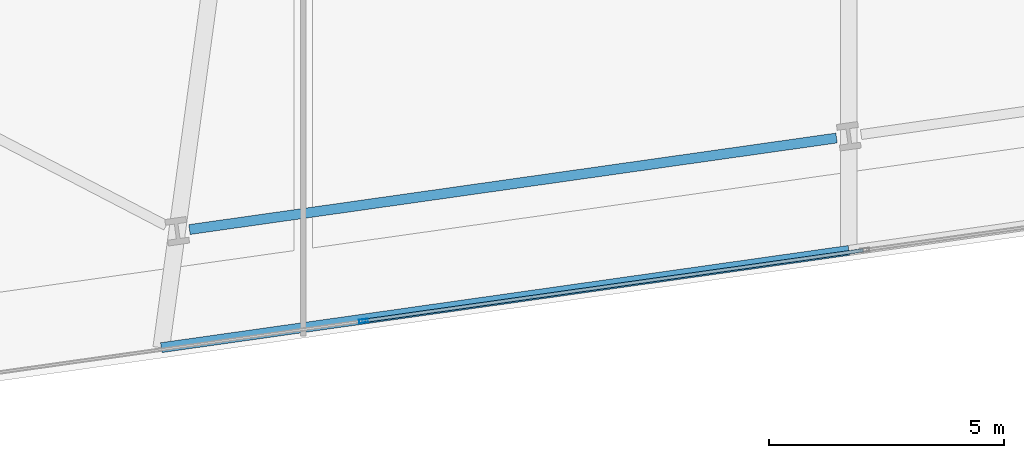
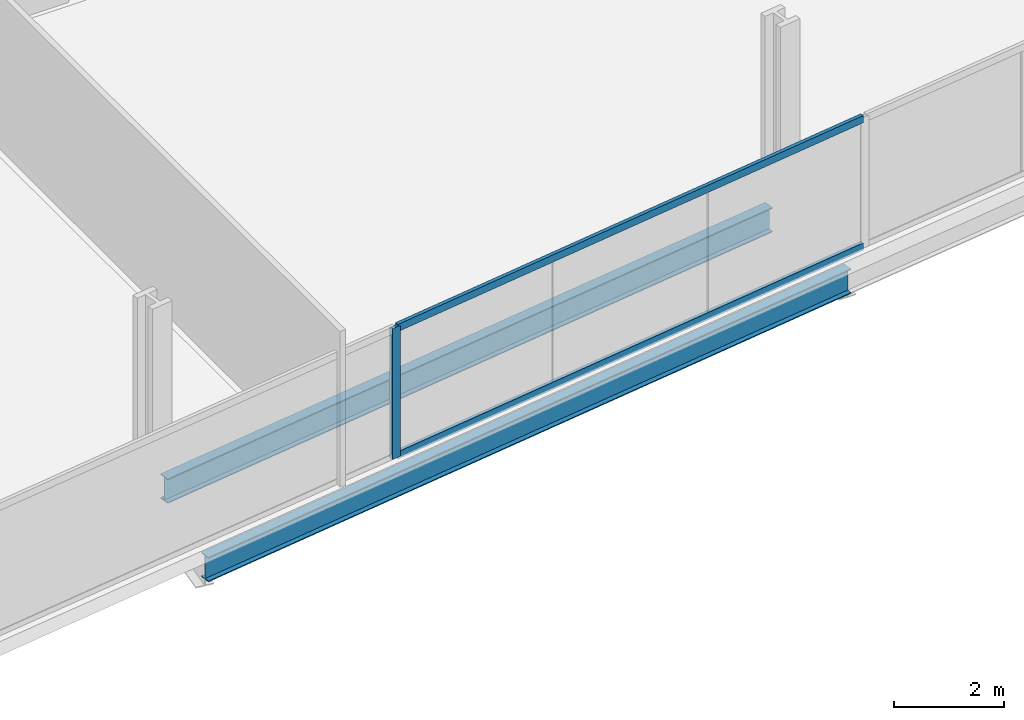
# One storey, part 5 of 33: 3 members, 2 beams, 1 element without a shape of its own.
"""IFC4 building model written with IfcOpenShell, lengths in metres."""

from ifc_helpers import new_model, si_unit, direction, frame, origin, origin_2d, place, context, subcontext, project, spatial, hollow_rectangle, i_section, extrude, material, material_profile, profile_set, type_object, element, aggregate, save


model = new_model("IFC4")

# Units and contexts
model_context = context("Model", 3, precision=1e-05, world=origin(), true_north=direction((0.0, 1.0)))
body_context = subcontext(model_context, "Body", "Model", "MODEL_VIEW")
ifc_project = project(units=[si_unit("LENGTHUNIT", "METRE"), si_unit("AREAUNIT", "SQUARE_METRE"), si_unit("VOLUMEUNIT", "CUBIC_METRE"), si_unit("PLANEANGLEUNIT", "RADIAN"), si_unit("MASSUNIT", "GRAM", prefix="KILO")], contexts=[model_context])

# Site, building, storey
site_placement = place(None, origin())
site = spatial("IfcSite", under=ifc_project, at=site_placement, CompositionType="ELEMENT")
building_placement = place(site_placement, origin())
building = spatial("IfcBuilding", under=site, at=building_placement, Name="Haldenkirk Collegiate Tower", CompositionType="ELEMENT")
storey_placement = place(building_placement, frame((0.0, 0.0, 55.199951171875)))
storey = spatial("IfcBuildingStorey", under=building, at=storey_placement, Name="L12", CompositionType="ELEMENT", Elevation=55.199951171875)

# Beams
ifc_material_1 = material(Name="Steel ASTM A992 Grade 50", Category="steel")
ifc_material_profile_1 = material_profile(ifc_material_1, i_section(OverallWidth=0.2119140625, OverallDepth=0.5439453125, WebThickness=0.01318359375, FlangeThickness=0.021240234375, at=origin_2d()), Name="W21X83")
ifc_profile_set_1 = profile_set([ifc_material_profile_1], Name="Steel ASTM A992 Grade 50")
beam_type = type_object("IfcBeamType", Name="BM-SPANDREL-W21X83", PredefinedType="SPANDREL", material=ifc_profile_set_1)
beam_1_placement = place(storey_placement, frame((25.076904296875, 2.0341796875, -0.58203125), z_axis=(0.990146197746, 0.14003752029, 0.0), x_axis=(-0.14003752029, 0.990146197746, 0.0)))
element("IfcBeam", 1, at=beam_1_placement, inside=storey, type_object=beam_type, Name="L12 perimeter spandrel beam 02", PredefinedType="SPANDREL", context=body_context, shape_type="SweptSolid", body=[
    extrude(i_section(OverallWidth=0.2119140625, OverallDepth=0.5439453125, WebThickness=0.01318359375, FlangeThickness=0.021240234375, at=origin_2d()), origin(), (0.0, 0.0, 1.0), 13.906982421875),
])
beam_2_placement = place(storey_placement, frame((24.476806640625, -0.4794921875, -0.58203125), z_axis=(0.990147098924, 0.14003114829, 0.0), x_axis=(-0.14003114829, 0.990147098924, 0.0)))
element("IfcBeam", 2, at=beam_2_placement, inside=storey, type_object=beam_type, Name="L12 outer facade edge beam 1A", PredefinedType="SPANDREL", context=body_context, shape_type="SweptSolid", body=[
    extrude(i_section(OverallWidth=0.2119140625, OverallDepth=0.5439453125, WebThickness=0.01318359375, FlangeThickness=0.021240234375, at=origin_2d()), origin(), (0.0, 0.0, 1.0), 14.777587890625),
])

# Curtain wall, members
ifc_material_2 = material(Name="Anodised architectural bronze aluminium", Category="aluminium")
curtain_wall_type = type_object("IfcCurtainWallType", Name="CW-SYS2-CONCAVE", PredefinedType="USERDEFINED", material=ifc_material_2)
curtain_wall_placement = place(storey_placement, origin())
curtain_wall = element("IfcCurtainWall", 3, at=curtain_wall_placement, inside=storey, type_object=curtain_wall_type, Name="L12 South concave recessed bronze-anodised curtain wall", ObjectType="UNITISED CURTAIN WALL", PredefinedType="USERDEFINED")
ifc_material_profile_2 = material_profile(ifc_material_2, hollow_rectangle(XDim=0.074951171875, YDim=0.18994140625, WallThickness=0.0048828125, at=origin_2d()), Name="CW-MUL-02")
ifc_profile_set_2 = profile_set([ifc_material_profile_2], Name="Anodised architectural bronze aluminium")
member_type_1 = type_object("IfcMemberType", Name="CW-MUL-02", PredefinedType="MULLION", material=ifc_profile_set_2)
member_1_placement = place(storey_placement, frame((28.782470703125, 0.0888671875, 0.0), z_axis=(0.0, 0.0, 1.0), x_axis=(0.140039087345, -0.990145976114, 0.0)))
member_1 = element("IfcMember", 4, at=member_1_placement, type_object=member_type_1, Name="CW-02 mullion 4", PredefinedType="MULLION", context=body_context, shape_type="SweptSolid", body=[
    extrude(hollow_rectangle(XDim=0.074951171875, YDim=0.18994140625, WallThickness=0.0048828125, at=origin_2d()), origin(), (0.0, 0.0, 1.0), 2.89111328125),
])
ifc_material_profile_3 = material_profile(ifc_material_2, hollow_rectangle(XDim=0.074951171875, YDim=0.159912109375, WallThickness=0.0048828125, at=origin_2d()), Name="CW-TRN-02")
ifc_profile_set_3 = profile_set([ifc_material_profile_3], Name="Anodised architectural bronze aluminium")
member_type_2 = type_object("IfcMemberType", Name="CW-TRN-02", PredefinedType="USERDEFINED", material=ifc_profile_set_3)
member_2_placement = place(storey_placement, frame((39.4140625, 1.592529296875, 0.03759765625), z_axis=(-0.990147478927, -0.140028461301, 0.0), x_axis=(0.140028461301, -0.990147478927, 0.0)))
member_2 = element("IfcMember", 5, at=member_2_placement, type_object=member_type_2, Name="CW-02 transom 3.1", ObjectType="TRANSOM", PredefinedType="USERDEFINED", context=body_context, shape_type="SweptSolid", body=[
    extrude(hollow_rectangle(XDim=0.074951171875, YDim=0.159912109375, WallThickness=0.0048828125, at=origin_2d()), origin(), (0.0, 0.0, 1.0), 10.699951171875),
])
member_3_placement = place(storey_placement, frame((39.4140625, 1.592529296875, 2.853515625), z_axis=(-0.990147478927, -0.140028461301, 0.0), x_axis=(0.140028461301, -0.990147478927, 0.0)))
member_3 = element("IfcMember", 6, at=member_3_placement, type_object=member_type_2, Name="CW-02 transom 3.2", ObjectType="TRANSOM", PredefinedType="USERDEFINED", context=body_context, shape_type="SweptSolid", body=[
    extrude(hollow_rectangle(XDim=0.074951171875, YDim=0.159912109375, WallThickness=0.0048828125, at=origin_2d()), origin(), (0.0, 0.0, 1.0), 10.699951171875),
])
aggregate(curtain_wall, [member_1, member_2, member_3])

save(model, "model.ifc")
